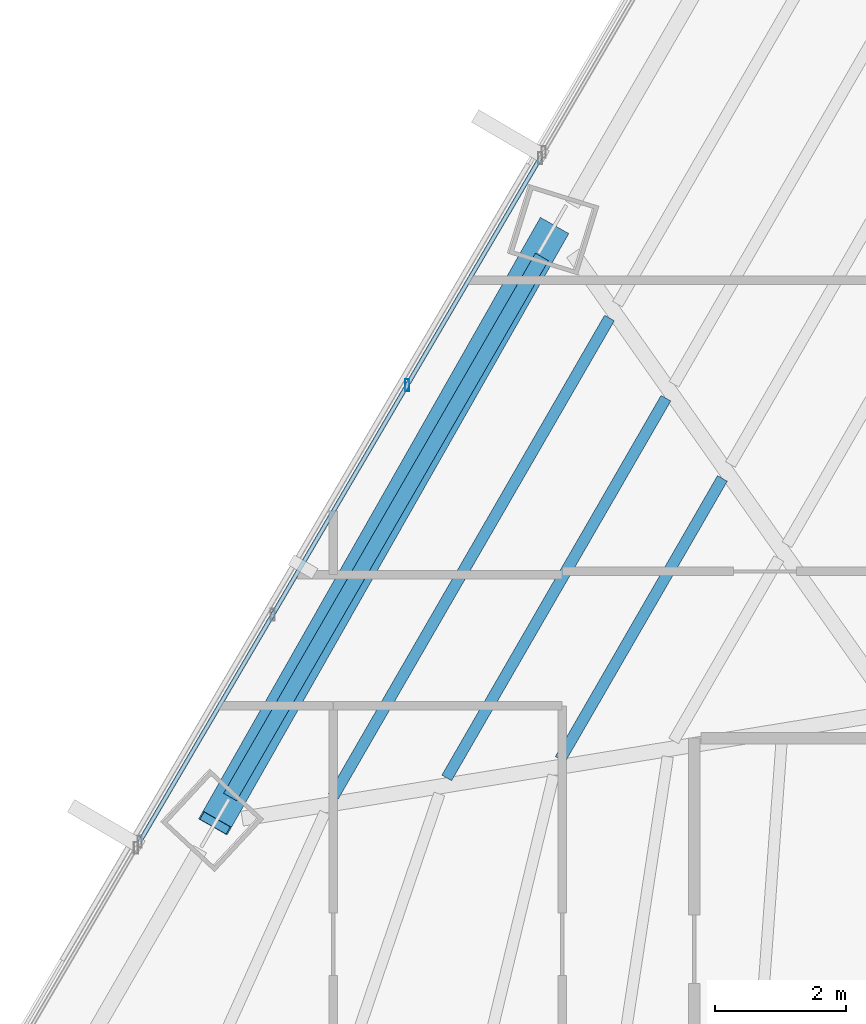
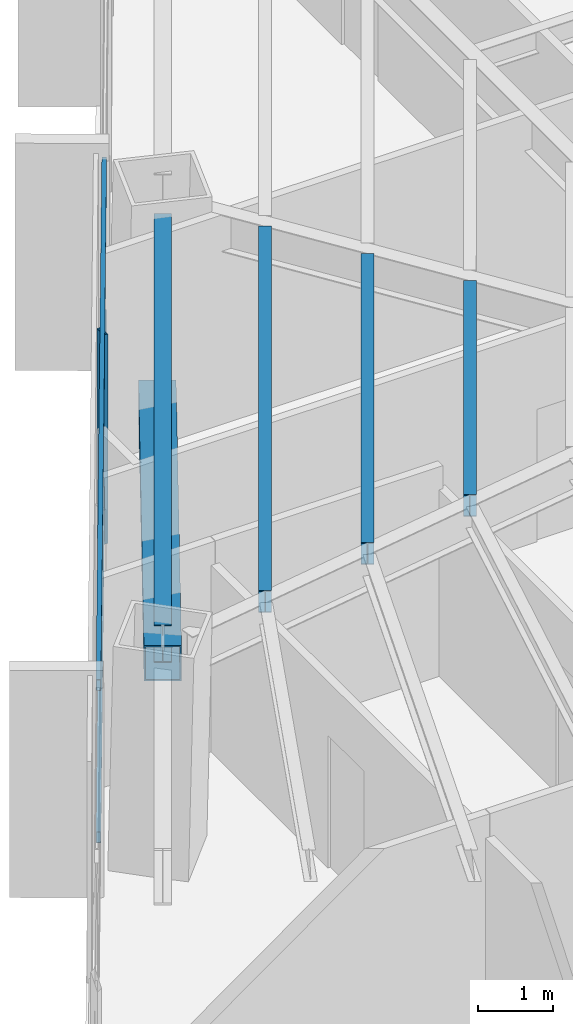
# One storey, part 13 of 37: 4 beams, 4 members, 1 element without a shape of its own.
"""IFC4 building model written with IfcOpenShell, lengths in metres."""

from ifc_helpers import new_model, si_unit, direction, frame, origin, origin_2d, place, context, subcontext, project, spatial, hollow_rectangle, i_section, extrude, source, transform, mapped, material, material_profile, profile_set, type_object, type_shapes, element, aggregate, save


model = new_model("IFC4")

# Units and contexts
model_context = context("Model", 3, precision=1e-05, world=origin(), true_north=direction((0.0, 1.0)))
body_context = subcontext(model_context, "Body", "Model", "MODEL_VIEW")
ifc_project = project(units=[si_unit("LENGTHUNIT", "METRE"), si_unit("AREAUNIT", "SQUARE_METRE"), si_unit("VOLUMEUNIT", "CUBIC_METRE"), si_unit("PLANEANGLEUNIT", "RADIAN"), si_unit("MASSUNIT", "GRAM", prefix="KILO")], contexts=[model_context])

# Site, building, storey
site_placement = place(None, origin())
site = spatial("IfcSite", under=ifc_project, at=site_placement, CompositionType="ELEMENT")
building_placement = place(site_placement, origin())
building = spatial("IfcBuilding", under=site, at=building_placement, Name="Caelisora Broadcast Tower", CompositionType="ELEMENT")
storey_placement = place(building_placement, frame((0.0, 0.0, 101.75)))
storey = spatial("IfcBuildingStorey", under=building, at=storey_placement, Name="L26", CompositionType="ELEMENT", Elevation=101.75)

# Beams
ifc_material_1 = material(Name="Steel Grade 350 (AS/NZS 3679.1)", Category="steel")
ifc_material_profile_1 = material_profile(ifc_material_1, i_section(OverallWidth=0.22900390625, OverallDepth=0.611572265625, WebThickness=0.011962890625, FlangeThickness=0.01953125, at=origin_2d()), Name="Steel Grade 350 (AS/NZS 3679.1)")
ifc_profile_set_1 = profile_set([ifc_material_profile_1], Name="Steel Grade 350 (AS/NZS 3679.1)")
beam_type_1 = type_object("IfcBeamType", Name="PG03", PredefinedType="BEAM", material=ifc_profile_set_1)
shared_shape_1 = source(origin(), body_context, "Body", "SweptSolid", [
    extrude(i_section(OverallWidth=0.22900390625, OverallDepth=0.611572265625, WebThickness=0.011962890625, FlangeThickness=0.01953125, at=origin_2d()), origin(), (0.0, 0.0, 1.0), 9.533203125),
])
type_shapes(beam_type_1, [shared_shape_1])
beam_1_placement = place(storey_placement, frame((25.090087890625, 36.95751953125, 3.09423828125), z_axis=(-0.499995120407, -0.866028221, 0.0), x_axis=(0.866028221, -0.499995120407, 0.0)))
element("IfcBeam", 1, at=beam_1_placement, inside=storey, type_object=beam_type_1, Name="L26 beam PG03", PredefinedType="BEAM", context=body_context, shape_type="MappedRepresentation", body=[
    mapped(shared_shape_1, transform((0.0, 0.0, 0.0), scale=1.0)),
])
ifc_material_profile_2 = material_profile(ifc_material_1, i_section(OverallWidth=0.172119140625, OverallDepth=0.358642578125, WebThickness=0.008056640625, FlangeThickness=0.012939453125, at=origin_2d()), Name="Steel Grade 350 (AS/NZS 3679.1)")
ifc_profile_set_2 = profile_set([ifc_material_profile_2], Name="Steel Grade 350 (AS/NZS 3679.1)")
beam_type_2 = type_object("IfcBeamType", Name="SB02", PredefinedType="JOIST", material=ifc_profile_set_2)
shared_shape_2 = source(origin(), body_context, "Body", "SweptSolid", [
    extrude(i_section(OverallWidth=0.172119140625, OverallDepth=0.358642578125, WebThickness=0.008056640625, FlangeThickness=0.012939453125, at=origin_2d()), origin(), (0.0, 0.0, 1.0), 4.9599609375),
])
beam_2_placement = place(storey_placement, frame((27.848876953125, 33.57177734375, 3.220703125), z_axis=(-0.50000366821, -0.866023285932, 0.0), x_axis=(0.866023285932, -0.50000366821, 0.0)))
element("IfcBeam", 2, at=beam_2_placement, inside=storey, type_object=beam_type_2, Name="L26 beam SB02", PredefinedType="JOIST", context=body_context, shape_type="MappedRepresentation", body=[
    mapped(shared_shape_2, transform((0.0, 0.0, 0.0), scale=1.0)),
])
shared_shape_3 = source(origin(), body_context, "Body", "SweptSolid", [
    extrude(i_section(OverallWidth=0.172119140625, OverallDepth=0.358642578125, WebThickness=0.008056640625, FlangeThickness=0.012939453125, at=origin_2d()), origin(), (0.0, 0.0, 1.0), 6.702392578125),
])
beam_3_placement = place(storey_placement, frame((26.985595703125, 34.7978515625, 3.220703125), z_axis=(-0.499986267709, -0.866033331981, 0.0), x_axis=(0.866033331981, -0.499986267709, 0.0)))
element("IfcBeam", 3, at=beam_3_placement, inside=storey, type_object=beam_type_2, Name="L26 beam SB02", PredefinedType="JOIST", context=body_context, shape_type="MappedRepresentation", body=[
    mapped(shared_shape_3, transform((0.0, 0.0, 0.0), scale=1.0)),
])
shared_shape_4 = source(origin(), body_context, "Body", "SweptSolid", [
    extrude(i_section(OverallWidth=0.172119140625, OverallDepth=0.358642578125, WebThickness=0.008056640625, FlangeThickness=0.012939453125, at=origin_2d()), origin(), (0.0, 0.0, 1.0), 8.4443359375),
])
type_shapes(beam_type_2, [shared_shape_2, shared_shape_3, shared_shape_4])
beam_4_placement = place(storey_placement, frame((26.122314453125, 36.023681640625, 3.220703125), z_axis=(-0.500022768355, -0.866012258069, 0.0), x_axis=(0.866012258069, -0.500022768355, 0.0)))
element("IfcBeam", 4, at=beam_4_placement, inside=storey, type_object=beam_type_2, Name="L26 beam SB02", PredefinedType="JOIST", context=body_context, shape_type="MappedRepresentation", body=[
    mapped(shared_shape_4, transform((0.0, 0.0, 0.0), scale=1.0)),
])

# Member
ifc_material_2 = material(Name="Steel Grade 450 L15 (AS/NZS 3678)", Category="steel")
ifc_material_profile_3 = material_profile(ifc_material_2, hollow_rectangle(XDim=0.5, YDim=0.5, WallThickness=0.02001953125, at=origin_2d()), Name="Steel Grade 450 L15 (AS/NZS 3678)")
ifc_profile_set_3 = profile_set([ifc_material_profile_3], Name="Steel Grade 450 L15 (AS/NZS 3678)")
member_type_1 = type_object("IfcMemberType", Name="BR02", PredefinedType="BRACE", material=ifc_profile_set_3)
shared_shape_5 = source(origin(), body_context, "Body", "SweptSolid", [
    extrude(hollow_rectangle(XDim=0.5, YDim=0.5, WallThickness=0.02001953125, at=origin_2d()), origin(), (0.0, 0.0, 1.0), 10.85986328125),
])
type_shapes(member_type_1, [shared_shape_5])
member_1_placement = place(storey_placement, frame((25.24951171875, 37.3779296875, 0.10009765625), z_axis=(-0.474771272509, -0.835632509609, 0.276243638269), x_axis=(0.86946546244, -0.493993734397, 0.0)))
element("IfcMember", 5, at=member_1_placement, inside=storey, type_object=member_type_1, Name="L26 perimeter brace BR02", PredefinedType="BRACE", context=body_context, shape_type="MappedRepresentation", body=[
    mapped(shared_shape_5, transform((0.0, 0.0, 0.0), scale=1.0)),
])

# Curtain wall, members
ifc_material_3 = material(Name="Unitised Aluminium Insulated Shadow-Box Spandrel Curtain Wall", Category="aluminium")
curtain_wall_type = type_object("IfcCurtainWallType", Name="CW-SP1", PredefinedType="NOTDEFINED", material=ifc_material_3)
curtain_wall_placement = place(storey_placement, origin())
curtain_wall = element("IfcCurtainWall", 6, at=curtain_wall_placement, inside=storey, type_object=curtain_wall_type, Name="L26 curtain wall CW-SP1", PredefinedType="NOTDEFINED")
ifc_material_4 = material(Name="Aluminium 6063-T6 Anodised Terracotta Bronze", Category="aluminium")
ifc_material_profile_4 = material_profile(ifc_material_4, hollow_rectangle(XDim=0.06494140625, YDim=0.179931640625, WallThickness=0.00341796875, at=origin_2d()), Name="Aluminium 6063-T6 Anodised Terracotta Bronze")
ifc_profile_set_4 = profile_set([ifc_material_profile_4], Name="Aluminium 6063-T6 Anodised Terracotta Bronze")
member_type_2 = type_object("IfcMemberType", Name="CWM-02", PredefinedType="MULLION", material=ifc_profile_set_4)
shared_shape_6 = source(origin(), body_context, "Body", "SweptSolid", [
    extrude(hollow_rectangle(XDim=0.06494140625, YDim=0.179931640625, WallThickness=0.00341796875, at=origin_2d()), origin(), (0.0, 0.0, 1.0), 3.39990234375),
])
type_shapes(member_type_2, [shared_shape_6])
member_2_placement = place(storey_placement, frame((23.031005859375, 34.99755859375, 0.0), z_axis=(0.0, 0.0, 1.0), x_axis=(1.0, 0.0, 0.0)))
member_2 = element("IfcMember", 7, at=member_2_placement, type_object=member_type_2, Name="L26-CW-B10 mullion #2", PredefinedType="MULLION", context=body_context, shape_type="MappedRepresentation", body=[
    mapped(shared_shape_6, transform((0.0, 0.0, 0.0), scale=1.0)),
])
ifc_material_profile_5 = material_profile(ifc_material_4, hollow_rectangle(XDim=0.06494140625, YDim=0.179931640625, WallThickness=0.00341796875, at=origin_2d()), Name="Aluminium 6063-T6 Anodised Terracotta Bronze")
ifc_profile_set_5 = profile_set([ifc_material_profile_5], Name="Aluminium 6063-T6 Anodised Terracotta Bronze")
member_type_3 = type_object("IfcMemberType", Name="CWT-01", PredefinedType="USERDEFINED", material=ifc_profile_set_5)
shared_shape_7 = source(origin(), body_context, "Body", "SweptSolid", [
    extrude(hollow_rectangle(XDim=0.06494140625, YDim=0.179931640625, WallThickness=0.00341796875, at=origin_2d()), origin(), (0.0, 0.0, 1.0), 12.110107421875),
])
type_shapes(member_type_3, [shared_shape_7])
member_3_placement = place(storey_placement, frame((18.941650390625, 28.01708984375, 0.85009765625), z_axis=(0.505469584735, 0.862844423351, 0.0), x_axis=(-0.862844423351, 0.505469584735, 0.0)))
member_3 = element("IfcMember", 8, at=member_3_placement, type_object=member_type_3, Name="L26-CW-B10 transom #1", ObjectType="TRANSOM", PredefinedType="USERDEFINED", context=body_context, shape_type="MappedRepresentation", body=[
    mapped(shared_shape_7, transform((0.0, 0.0, 0.0), scale=1.0)),
])
member_4_placement = place(storey_placement, frame((18.941650390625, 28.01708984375, 3.320068359375), z_axis=(0.505469584735, 0.862844423351, 0.0), x_axis=(-0.862844423351, 0.505469584735, 0.0)))
member_4 = element("IfcMember", 9, at=member_4_placement, type_object=member_type_3, Name="L26-CW-B10 transom #2", ObjectType="TRANSOM", PredefinedType="USERDEFINED", context=body_context, shape_type="MappedRepresentation", body=[
    mapped(shared_shape_7, transform((0.0, 0.0, 0.0), scale=1.0)),
])
aggregate(curtain_wall, [member_2, member_3, member_4])

save(model, "model.ifc")
